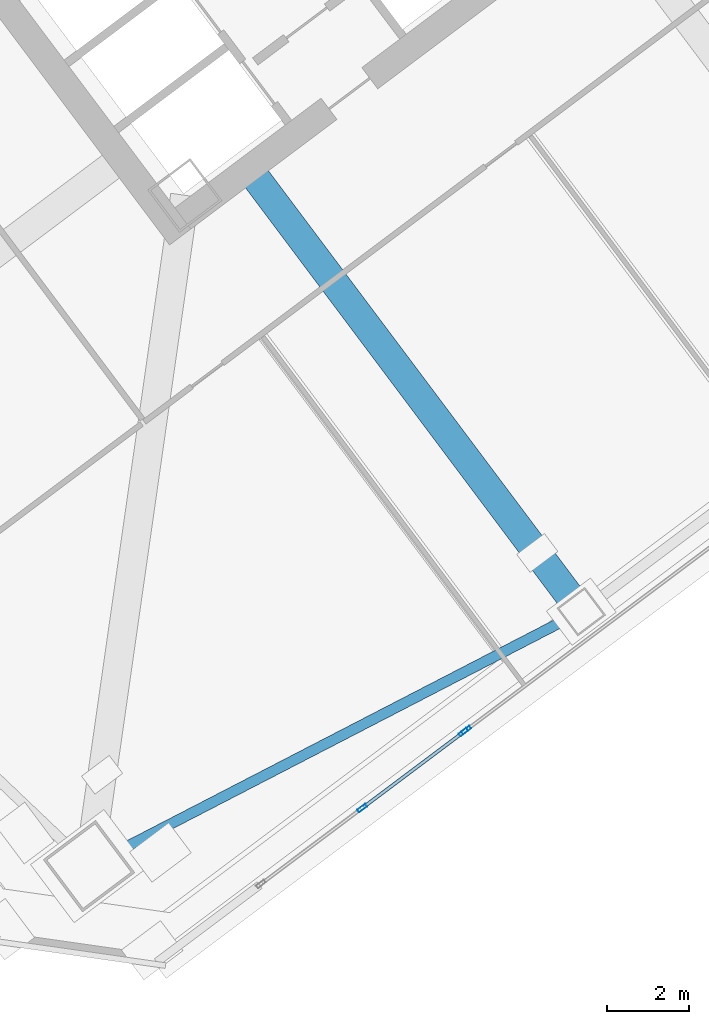
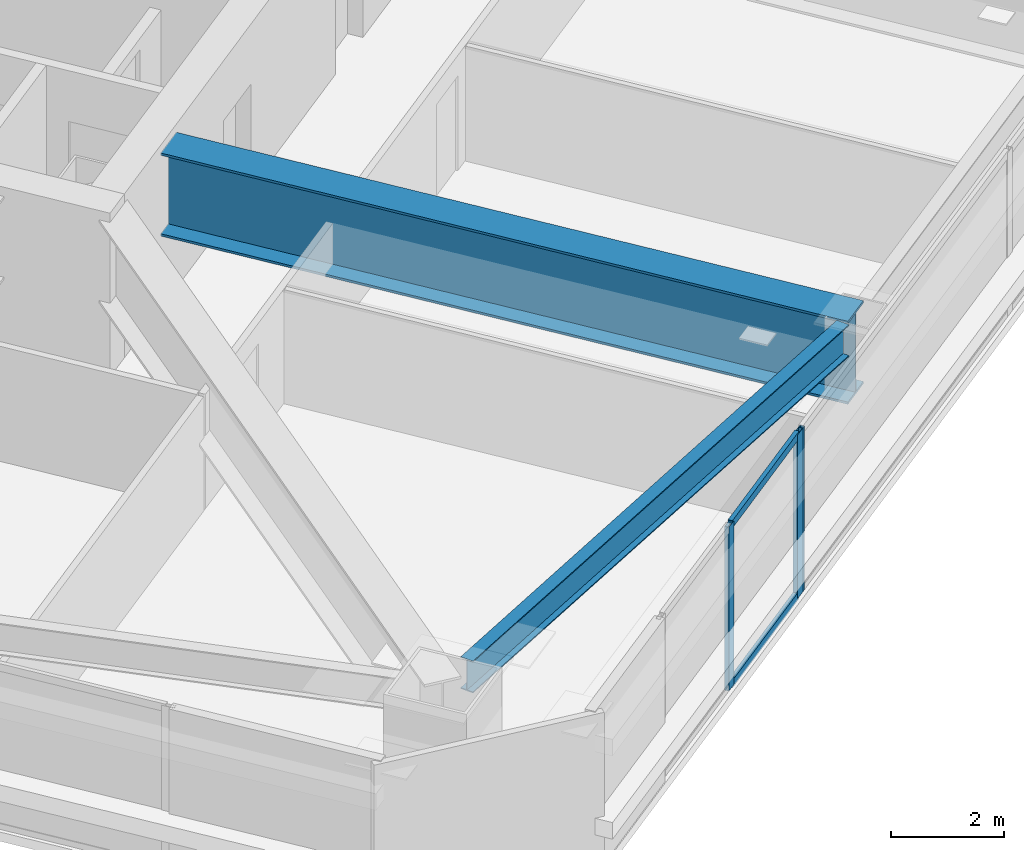
# One storey, part 25 of 48: 5 members, 2 beams, 2 elements without a shape of their own.
"""IFC4 building model written with IfcOpenShell, lengths in metres."""

from ifc_helpers import new_model, si_unit, direction, frame, origin, origin_2d, place, context, subcontext, project, spatial, hollow_rectangle, i_section, extrude, material, material_profile, profile_set, type_object, element, aggregate, save


model = new_model("IFC4")

# Units and contexts
model_context = context("Model", 3, precision=1e-05, world=origin(), true_north=direction((0.0, 1.0)))
body_context = subcontext(model_context, "Body", "Model", "MODEL_VIEW")
ifc_project = project(units=[si_unit("LENGTHUNIT", "METRE"), si_unit("AREAUNIT", "SQUARE_METRE"), si_unit("VOLUMEUNIT", "CUBIC_METRE"), si_unit("PLANEANGLEUNIT", "RADIAN"), si_unit("MASSUNIT", "GRAM", prefix="KILO")], contexts=[model_context])

# Site, building, storey
site_placement = place(None, origin())
site = spatial("IfcSite", under=ifc_project, at=site_placement, CompositionType="ELEMENT")
building_placement = place(site_placement, origin())
building = spatial("IfcBuilding", under=site, at=building_placement, Name="Tashvorn Skyway Center", CompositionType="ELEMENT")
storey_placement = place(building_placement, frame((0.0, 0.0, 63.64990234375)))
storey = spatial("IfcBuildingStorey", under=building, at=storey_placement, Name="L16", CompositionType="ELEMENT", Elevation=63.64990234375)

# Beams
ifc_material_1 = material(Name="Steel ASTM A572 Grade 50", Category="steel")
ifc_material_profile_1 = material_profile(ifc_material_1, i_section(OverallWidth=0.699951171875, OverallDepth=1.800048828125, WebThickness=0.031982421875, FlangeThickness=0.050048828125, at=origin_2d()), Name="PG1800x700")
ifc_profile_set_1 = profile_set([ifc_material_profile_1], Name="Steel ASTM A572 Grade 50")
beam_type_1 = type_object("IfcBeamType", Name="BM-BEAM-PG1800x700", PredefinedType="BEAM", material=ifc_profile_set_1)
beam_1_placement = place(storey_placement, frame((122.31005859375, 11.919921875, 2.4501953125), z_axis=(-0.600008830928, 0.799993376728, 0.0), x_axis=(-0.799993376728, -0.600008830928, 0.0)))
element("IfcBeam", 1, at=beam_1_placement, inside=storey, type_object=beam_type_1, Name="Tower 2 L16 Setback Transfer Girder FC-S1", PredefinedType="BEAM", context=body_context, shape_type="SweptSolid", body=[
    extrude(i_section(OverallWidth=0.699951171875, OverallDepth=1.800048828125, WebThickness=0.031982421875, FlangeThickness=0.050048828125, at=origin_2d()), origin(), (0.0, 0.0, 1.0), 13.27001953125),
])
ifc_material_2 = material(Name="Steel ASTM A992 Grade 50", Category="steel")
ifc_material_profile_2 = material_profile(ifc_material_2, i_section(OverallWidth=0.256103515625, OverallDepth=0.693115234375, WebThickness=0.014404296875, FlangeThickness=0.023681640625, at=origin_2d()), Name="W27X114")
ifc_profile_set_2 = profile_set([ifc_material_profile_2], Name="Steel ASTM A992 Grade 50")
beam_type_2 = type_object("IfcBeamType", Name="BM-SPANDREL-W27X114", PredefinedType="SPANDREL", material=ifc_profile_set_2)
beam_2_placement = place(storey_placement, frame((110.9462890625, 6.045166015625, 3.003662109375), z_axis=(0.888315637339, 0.459233413919, 0.0), x_axis=(-0.459233413919, 0.888315637339, 0.0)))
element("IfcBeam", 2, at=beam_2_placement, inside=storey, type_object=beam_type_2, Name="Tower 2 L16 Spandrel Beam 01", PredefinedType="SPANDREL", context=body_context, shape_type="SweptSolid", body=[
    extrude(i_section(OverallWidth=0.256103515625, OverallDepth=0.693115234375, WebThickness=0.014404296875, FlangeThickness=0.023681640625, at=origin_2d()), origin(), (0.0, 0.0, 1.0), 12.37255859375),
])

# Curtain wall, member
ifc_material_3 = material(Name="Thermally broken bronze-anodized aluminium 6063-T6", Category="aluminium")
curtain_wall_type = type_object("IfcCurtainWallType", Name="CW-CW-Z1", PredefinedType="NOTDEFINED", material=ifc_material_3)
curtain_wall_1_placement = place(storey_placement, origin())
curtain_wall_1 = element("IfcCurtainWall", 3, at=curtain_wall_1_placement, inside=storey, type_object=curtain_wall_type, Name="Tower 2 L16 South Unitised Curtain Wall Glazing Group 2", PredefinedType="NOTDEFINED")
ifc_material_profile_3 = material_profile(ifc_material_3, hollow_rectangle(XDim=0.0849609375, YDim=0.239990234375, WallThickness=0.0048828125, at=origin_2d()), Name="ALU-MULL-85x240")
ifc_profile_set_3 = profile_set([ifc_material_profile_3], Name="Thermally broken bronze-anodized aluminium 6063-T6")
member_type_1 = type_object("IfcMemberType", Name="CWM-CW-Z1", PredefinedType="MULLION", material=ifc_profile_set_3)
member_1_placement = place(storey_placement, frame((119.489990234375, 9.017578125, 0.0), z_axis=(0.0, 0.0, 1.0), x_axis=(0.600000000002, -0.799999999998, 0.0)))
member_1 = element("IfcMember", 4, at=member_1_placement, type_object=member_type_1, Name="CW-Z1 mullion 3", PredefinedType="MULLION", context=body_context, shape_type="SweptSolid", body=[
    extrude(hollow_rectangle(XDim=0.0849609375, YDim=0.239990234375, WallThickness=0.0048828125, at=origin_2d()), origin(), (0.0, 0.0, 1.0), 3.550048828125),
])
aggregate(curtain_wall_1, [member_1])

# Curtain wall, members
curtain_wall_2_placement = place(storey_placement, origin())
curtain_wall_2 = element("IfcCurtainWall", 5, at=curtain_wall_2_placement, inside=storey, type_object=curtain_wall_type, Name="Tower 2 L16 South Unitised Curtain Wall Glazing Group 3", PredefinedType="NOTDEFINED")
member_2_placement = place(storey_placement, frame((119.422119140625, 8.966552734375, 0.0), z_axis=(0.0, 0.0, 1.0), x_axis=(0.599997457641, -0.800001906763, 0.0)))
member_2 = element("IfcMember", 6, at=member_2_placement, type_object=member_type_1, Name="CW-Z1 mullion 1", PredefinedType="MULLION", context=body_context, shape_type="SweptSolid", body=[
    extrude(hollow_rectangle(XDim=0.0849609375, YDim=0.239990234375, WallThickness=0.0048828125, at=origin_2d()), origin(), (0.0, 0.0, 1.0), 3.550048828125),
])
member_3_placement = place(storey_placement, frame((116.938720703125, 7.10400390625, 0.0), z_axis=(0.0, 0.0, 1.0), x_axis=(0.599997457641, -0.800001906763, 0.0)))
member_3 = element("IfcMember", 7, at=member_3_placement, type_object=member_type_1, Name="CW-Z1 mullion 2", PredefinedType="MULLION", context=body_context, shape_type="SweptSolid", body=[
    extrude(hollow_rectangle(XDim=0.0849609375, YDim=0.239990234375, WallThickness=0.0048828125, at=origin_2d()), origin(), (0.0, 0.0, 1.0), 3.550048828125),
])
ifc_material_profile_4 = material_profile(ifc_material_3, hollow_rectangle(XDim=0.0849609375, YDim=0.1650390625, WallThickness=0.0048828125, at=origin_2d()), Name="ALU-TRAN-85x165")
ifc_profile_set_4 = profile_set([ifc_material_profile_4], Name="Thermally broken bronze-anodized aluminium 6063-T6")
member_type_2 = type_object("IfcMemberType", Name="CWT-CW-Z1", PredefinedType="USERDEFINED", material=ifc_profile_set_4)
member_4_placement = place(storey_placement, frame((119.387939453125, 8.94091796875, 0.04248046875), z_axis=(-0.799990296182, -0.600012938206, 0.0), x_axis=(0.600012938206, -0.799990296182, 0.0)))
member_4 = element("IfcMember", 8, at=member_4_placement, type_object=member_type_2, Name="CW-Z1 transom 1.1", ObjectType="TRANSOM", PredefinedType="USERDEFINED", context=body_context, shape_type="SweptSolid", body=[
    extrude(hollow_rectangle(XDim=0.0849609375, YDim=0.1650390625, WallThickness=0.0048828125, at=origin_2d()), origin(), (0.0, 0.0, 1.0), 3.01904296875),
])
member_5_placement = place(storey_placement, frame((119.387939453125, 8.94091796875, 3.507568359375), z_axis=(-0.799990296182, -0.600012938206, 0.0), x_axis=(0.600012938206, -0.799990296182, 0.0)))
member_5 = element("IfcMember", 9, at=member_5_placement, type_object=member_type_2, Name="CW-Z1 transom 1.2", ObjectType="TRANSOM", PredefinedType="USERDEFINED", context=body_context, shape_type="SweptSolid", body=[
    extrude(hollow_rectangle(XDim=0.0849609375, YDim=0.1650390625, WallThickness=0.0048828125, at=origin_2d()), origin(), (0.0, 0.0, 1.0), 3.01904296875),
])
aggregate(curtain_wall_2, [member_2, member_3, member_4, member_5])

save(model, "model.ifc")
